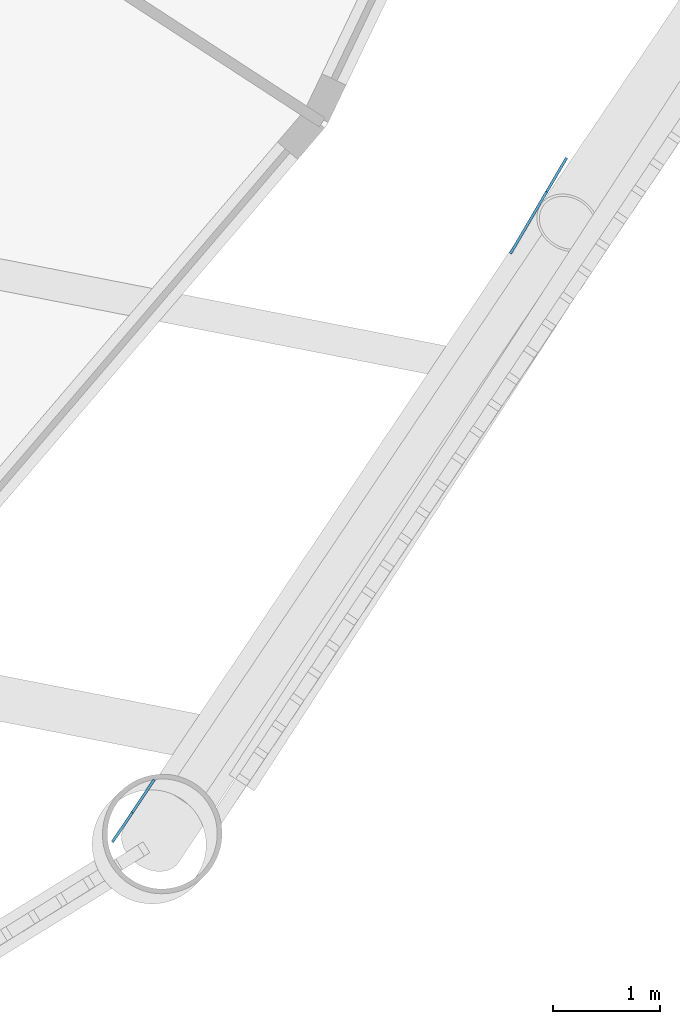
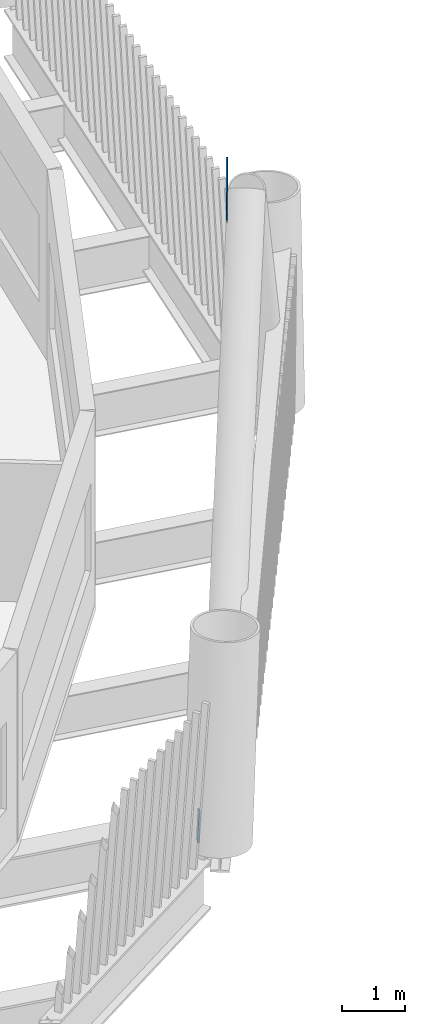
# One storey, part 10 of 24: 2 discrete accessories.
"""IFC4 building model written with IfcOpenShell, lengths in metres."""

from ifc_helpers import new_model, si_unit, direction, frame, origin, origin_2d, place, context, subcontext, project, spatial, rectangle, extrude, material, material_profile, profile_set, type_object, element, save


model = new_model("IFC4")

# Units and contexts
model_context = context("Model", 3, precision=1e-05, world=origin(), true_north=direction((0.0, 1.0)))
body_context = subcontext(model_context, "Body", "Model", "MODEL_VIEW")
ifc_project = project(units=[si_unit("LENGTHUNIT", "METRE"), si_unit("AREAUNIT", "SQUARE_METRE"), si_unit("VOLUMEUNIT", "CUBIC_METRE"), si_unit("PLANEANGLEUNIT", "RADIAN"), si_unit("MASSUNIT", "GRAM", prefix="KILO")], contexts=[model_context])

# Site, building, storey
site_placement = place(None, origin())
site = spatial("IfcSite", under=ifc_project, at=site_placement, CompositionType="ELEMENT")
building_placement = place(site_placement, origin())
building = spatial("IfcBuilding", under=site, at=building_placement, Name="Tarsis Ring Headquarters", CompositionType="ELEMENT")
storey_placement = place(building_placement, frame((0.0, 0.0, 178.800048828125)))
storey = spatial("IfcBuildingStorey", under=building, at=storey_placement, Name="L41", CompositionType="ELEMENT", Elevation=178.800048828125)

# Discrete accessories
ifc_material = material(Name="Structural steel S355", Category="steel")
ifc_material_profile = material_profile(ifc_material, rectangle(XDim=0.02490234375, YDim=0.5, at=origin_2d()), Name="PL 25x500")
ifc_profile_set = profile_set([ifc_material_profile], Name="Structural steel S355")
discrete_accessory_type = type_object("IfcDiscreteAccessoryType", Name="Gusset plate Exo brace 25", PredefinedType="BRACKET", material=ifc_profile_set)
discrete_accessory_1_placement = place(storey_placement, frame((19.88330078125, -20.75, 0.0), z_axis=(0.3721649118, 0.55580534072, 0.743353012809), x_axis=(-0.830925260815, 0.55638404986, 0.0)))
element("IfcDiscreteAccessory", 1, at=discrete_accessory_1_placement, inside=storey, type_object=discrete_accessory_type, Name="Gusset plate GP5", PredefinedType="BRACKET", context=body_context, shape_type="SweptSolid", body=[
    extrude(rectangle(XDim=0.02490234375, YDim=0.5, at=origin_2d()), origin(), (0.0, 0.0, 1.0), 0.499755859375),
])
discrete_accessory_2_placement = place(storey_placement, frame((23.60693359375, -15.224853515625, 7.428955078125), z_axis=(0.339113480788, 0.578372812086, 0.741948069198), x_axis=(-0.86265414083, 0.505794259862, 0.0)))
element("IfcDiscreteAccessory", 2, at=discrete_accessory_2_placement, inside=storey, type_object=discrete_accessory_type, Name="Gusset plate GP5", PredefinedType="BRACKET", context=body_context, shape_type="SweptSolid", body=[
    extrude(rectangle(XDim=0.02490234375, YDim=0.5, at=origin_2d()), origin(), (0.0, 0.0, 1.0), 1.0),
])

save(model, "model.ifc")
